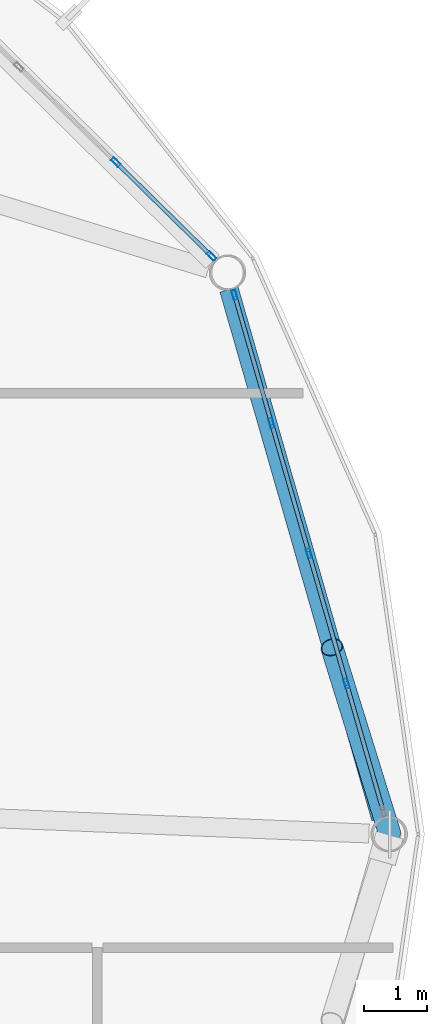
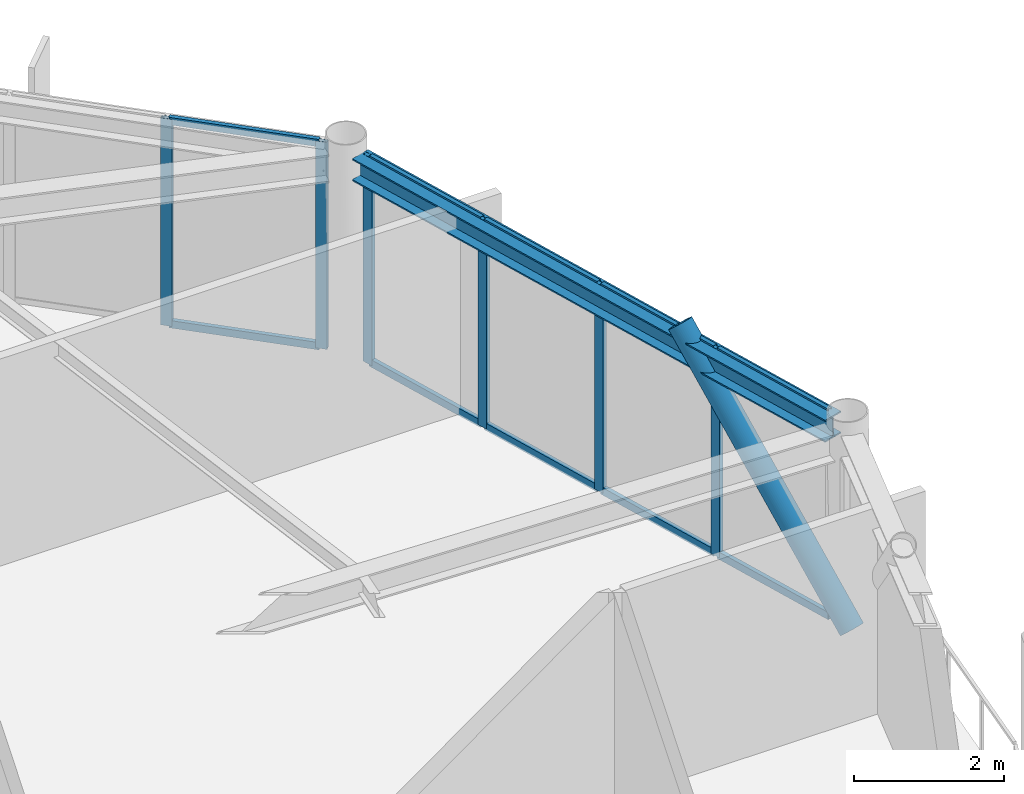
# One storey, part 16 of 25: 17 members, 1 beam, 2 elements without a shape of their own.
"""IFC4 building model written with IfcOpenShell, lengths in metres."""

from ifc_helpers import new_model, si_unit, direction, frame, origin, origin_2d, place, context, subcontext, project, spatial, hollow_rectangle, hollow_circle, i_section, extrude, material, layer, layer_set, material_profile, profile_set, type_object, element, aggregate, save


model = new_model("IFC4")

# Units and contexts
model_context = context("Model", 3, precision=1e-05, world=origin(), true_north=direction((0.0, 1.0)))
body_context = subcontext(model_context, "Body", "Model", "MODEL_VIEW")
ifc_project = project(units=[si_unit("LENGTHUNIT", "METRE"), si_unit("AREAUNIT", "SQUARE_METRE"), si_unit("VOLUMEUNIT", "CUBIC_METRE"), si_unit("PLANEANGLEUNIT", "RADIAN"), si_unit("MASSUNIT", "GRAM", prefix="KILO")], contexts=[model_context])

# Site, building, storey
site_placement = place(None, origin())
site = spatial("IfcSite", under=ifc_project, at=site_placement, CompositionType="ELEMENT")
building_placement = place(site_placement, origin())
building = spatial("IfcBuilding", under=site, at=building_placement, Name="Varnakorn Sky Granary", CompositionType="ELEMENT")
storey_placement = place(building_placement, frame((0.0, 0.0, 259.800048828125)))
storey = spatial("IfcBuildingStorey", under=building, at=storey_placement, Name="L66", CompositionType="ELEMENT", Elevation=259.800048828125)

# Beam
ifc_material_1 = material(Name="Steel S355JR", Category="steel")
ifc_material_profile_1 = material_profile(ifc_material_1, i_section(OverallWidth=0.300048828125, OverallDepth=0.360107421875, WebThickness=0.012451171875, FlangeThickness=0.0224609375, at=origin_2d()), Name="HE 360 B")
ifc_profile_set_1 = profile_set([ifc_material_profile_1], Name="Steel S355JR")
beam_type = type_object("IfcBeamType", Name="BM-SPD-Z5", PredefinedType="SPANDREL", material=ifc_profile_set_1)
beam_placement = place(storey_placement, frame((23.0009765625, 0.254150390625, 3.179931640625), z_axis=(-0.276253195, 0.961084893364, 0.0), x_axis=(-0.961084893364, -0.276253195, 0.0)))
element("IfcBeam", 1, at=beam_placement, inside=storey, type_object=beam_type, Name="Perimeter Spandrel Ring Beam RB01 L66", PredefinedType="SPANDREL", context=body_context, shape_type="SweptSolid", body=[
    extrude(i_section(OverallWidth=0.300048828125, OverallDepth=0.360107421875, WebThickness=0.012451171875, FlangeThickness=0.0224609375, at=origin_2d()), origin(), (0.0, 0.0, 1.0), 8.732421875),
])

# Curtain wall, members
ifc_material_2 = material(Name="Anodised Bronze Aluminium Alloy 6063-T6", Category="aluminium")
ifc_layer = layer(ifc_material_2, 0.159912109375, Name="Anodised Bronze Aluminium Alloy 6063-T6")
ifc_layer_set = layer_set([ifc_layer], Name="Anodised Bronze Aluminium Alloy 6063-T6")
curtain_wall_type = type_object("IfcCurtainWallType", Name="CW-OFF-1", PredefinedType="USERDEFINED", material=ifc_layer_set)
curtain_wall_1_placement = place(storey_placement, origin())
curtain_wall_1 = element("IfcCurtainWall", 2, at=curtain_wall_1_placement, inside=storey, type_object=curtain_wall_type, Name="Unitised Curtain Wall CW6 CW-L66-B01", ObjectType="CURTAIN WALL", PredefinedType="USERDEFINED")
ifc_material_profile_2 = material_profile(ifc_material_2, hollow_rectangle(XDim=0.06494140625, YDim=0.159912109375, WallThickness=0.00341796875, at=origin_2d()), Name="ALU MULL 65x160")
ifc_profile_set_2 = profile_set([ifc_material_profile_2], Name="Anodised Bronze Aluminium Alloy 6063-T6")
member_type_1 = type_object("IfcMemberType", Name="CW-OFF-1-MULL", PredefinedType="MULLION", material=ifc_profile_set_2)
member_1_placement = place(storey_placement, frame((20.67724609375, 8.560546875, 0.0), z_axis=(0.0, 0.0, 1.0), x_axis=(0.960963029638, 0.27667680725, 0.0)))
member_1 = element("IfcMember", 3, at=member_1_placement, type_object=member_type_1, Name="CW6 mullion 1", PredefinedType="MULLION", context=body_context, shape_type="SweptSolid", body=[
    extrude(hollow_rectangle(XDim=0.06494140625, YDim=0.159912109375, WallThickness=0.00341796875, at=origin_2d()), origin(), (0.0, 0.0, 1.0), 3.35986328125),
])
member_2_placement = place(storey_placement, frame((21.26318359375, 6.525390625, 0.0), z_axis=(0.0, 0.0, 1.0), x_axis=(0.960963029638, 0.27667680725, 0.0)))
member_2 = element("IfcMember", 4, at=member_2_placement, type_object=member_type_1, Name="CW6 mullion 2", PredefinedType="MULLION", context=body_context, shape_type="SweptSolid", body=[
    extrude(hollow_rectangle(XDim=0.06494140625, YDim=0.159912109375, WallThickness=0.00341796875, at=origin_2d()), origin(), (0.0, 0.0, 1.0), 3.35986328125),
])
member_3_placement = place(storey_placement, frame((21.858154296875, 4.458984375, 0.0), z_axis=(0.0, 0.0, 1.0), x_axis=(0.960963029638, 0.27667680725, 0.0)))
member_3 = element("IfcMember", 5, at=member_3_placement, type_object=member_type_1, Name="CW6 mullion 3", PredefinedType="MULLION", context=body_context, shape_type="SweptSolid", body=[
    extrude(hollow_rectangle(XDim=0.06494140625, YDim=0.159912109375, WallThickness=0.00341796875, at=origin_2d()), origin(), (0.0, 0.0, 1.0), 3.35986328125),
])
member_4_placement = place(storey_placement, frame((22.453125, 2.392578125, 0.0), z_axis=(0.0, 0.0, 1.0), x_axis=(0.960963029638, 0.27667680725, 0.0)))
member_4 = element("IfcMember", 6, at=member_4_placement, type_object=member_type_1, Name="CW6 mullion 4", PredefinedType="MULLION", context=body_context, shape_type="SweptSolid", body=[
    extrude(hollow_rectangle(XDim=0.06494140625, YDim=0.159912109375, WallThickness=0.00341796875, at=origin_2d()), origin(), (0.0, 0.0, 1.0), 3.35986328125),
])

curtain_wall_2_placement = place(storey_placement, origin())
curtain_wall_2 = element("IfcCurtainWall", 7, at=curtain_wall_2_placement, inside=storey, type_object=curtain_wall_type, Name="Unitised Curtain Wall CW6 CW-L66-B02", ObjectType="CURTAIN WALL", PredefinedType="USERDEFINED")
member_5_placement = place(storey_placement, frame((18.791748046875, 10.6689453125, 0.0), z_axis=(0.0, 0.0, 1.0), x_axis=(0.700774417108, 0.713382938068, 0.0)))
member_5 = element("IfcMember", 8, at=member_5_placement, type_object=member_type_1, Name="CW6 mullion 4", PredefinedType="MULLION", context=body_context, shape_type="SweptSolid", body=[
    extrude(hollow_rectangle(XDim=0.06494140625, YDim=0.159912109375, WallThickness=0.00341796875, at=origin_2d()), origin(), (0.0, 0.0, 1.0), 3.35986328125),
])
member_6_placement = place(storey_placement, frame((20.30908203125, 9.1787109375, 0.0), z_axis=(0.0, 0.0, 1.0), x_axis=(0.700774417108, 0.713382938068, 0.0)))
member_6 = element("IfcMember", 9, at=member_6_placement, type_object=member_type_1, Name="CW6 mullion 5", PredefinedType="MULLION", context=body_context, shape_type="SweptSolid", body=[
    extrude(hollow_rectangle(XDim=0.06494140625, YDim=0.159912109375, WallThickness=0.00341796875, at=origin_2d()), origin(), (0.0, 0.0, 1.0), 3.35986328125),
])

# Member
ifc_material_profile_3 = material_profile(ifc_material_2, hollow_rectangle(XDim=0.06494140625, YDim=0.1201171875, WallThickness=0.00341796875, at=origin_2d()), Name="ALU TRAN 65x120")
ifc_profile_set_3 = profile_set([ifc_material_profile_3], Name="Anodised Bronze Aluminium Alloy 6063-T6")
member_type_2 = type_object("IfcMemberType", Name="CW-OFF-1-TRAN", PredefinedType="USERDEFINED", material=ifc_profile_set_3)
member_7_placement = place(storey_placement, frame((20.686279296875, 8.529296875, 0.032470703125), z_axis=(0.276636966112, -0.960974499651, 0.0), x_axis=(0.960974499651, 0.276636966112, 0.0)))
member_7 = element("IfcMember", 10, at=member_7_placement, type_object=member_type_2, Name="CW6 transom 1.1", ObjectType="TRANSOM", PredefinedType="USERDEFINED", context=body_context, shape_type="SweptSolid", body=[
    extrude(hollow_rectangle(XDim=0.06494140625, YDim=0.1201171875, WallThickness=0.00341796875, at=origin_2d()), origin(), (0.0, 0.0, 1.0), 2.052734375),
])

member_8_placement = place(storey_placement, frame((20.686279296875, 8.529296875, 3.327392578125), z_axis=(0.276636966112, -0.960974499651, 0.0), x_axis=(0.960974499651, 0.276636966112, 0.0)))
member_8 = element("IfcMember", 11, at=member_8_placement, type_object=member_type_2, Name="CW6 transom 1.2", ObjectType="TRANSOM", PredefinedType="USERDEFINED", context=body_context, shape_type="SweptSolid", body=[
    extrude(hollow_rectangle(XDim=0.06494140625, YDim=0.1201171875, WallThickness=0.00341796875, at=origin_2d()), origin(), (0.0, 0.0, 1.0), 2.052734375),
])

member_9_placement = place(storey_placement, frame((21.272216796875, 6.494140625, 0.032470703125), z_axis=(0.276653451318, -0.960969753881, 0.0), x_axis=(0.960969753881, 0.276653451318, 0.0)))
member_9 = element("IfcMember", 12, at=member_9_placement, type_object=member_type_2, Name="CW6 transom 2.1", ObjectType="TRANSOM", PredefinedType="USERDEFINED", context=body_context, shape_type="SweptSolid", body=[
    extrude(hollow_rectangle(XDim=0.06494140625, YDim=0.1201171875, WallThickness=0.00341796875, at=origin_2d()), origin(), (0.0, 0.0, 1.0), 2.085205078125),
])

member_10_placement = place(storey_placement, frame((21.272216796875, 6.494140625, 3.327392578125), z_axis=(0.276653451318, -0.960969753881, 0.0), x_axis=(0.960969753881, 0.276653451318, 0.0)))
member_10 = element("IfcMember", 13, at=member_10_placement, type_object=member_type_2, Name="CW6 transom 2.2", ObjectType="TRANSOM", PredefinedType="USERDEFINED", context=body_context, shape_type="SweptSolid", body=[
    extrude(hollow_rectangle(XDim=0.06494140625, YDim=0.1201171875, WallThickness=0.00341796875, at=origin_2d()), origin(), (0.0, 0.0, 1.0), 2.085205078125),
])

member_11_placement = place(storey_placement, frame((21.8671875, 4.427734375, 0.032470703125), z_axis=(0.276653451318, -0.960969753881, 0.0), x_axis=(0.960969753881, 0.276653451318, 0.0)))
member_11 = element("IfcMember", 14, at=member_11_placement, type_object=member_type_2, Name="CW6 transom 3.1", ObjectType="TRANSOM", PredefinedType="USERDEFINED", context=body_context, shape_type="SweptSolid", body=[
    extrude(hollow_rectangle(XDim=0.06494140625, YDim=0.1201171875, WallThickness=0.00341796875, at=origin_2d()), origin(), (0.0, 0.0, 1.0), 2.085205078125),
])

member_12_placement = place(storey_placement, frame((21.8671875, 4.427734375, 3.327392578125), z_axis=(0.276653451318, -0.960969753881, 0.0), x_axis=(0.960969753881, 0.276653451318, 0.0)))
member_12 = element("IfcMember", 15, at=member_12_placement, type_object=member_type_2, Name="CW6 transom 3.2", ObjectType="TRANSOM", PredefinedType="USERDEFINED", context=body_context, shape_type="SweptSolid", body=[
    extrude(hollow_rectangle(XDim=0.06494140625, YDim=0.1201171875, WallThickness=0.00341796875, at=origin_2d()), origin(), (0.0, 0.0, 1.0), 2.085205078125),
])

member_13_placement = place(storey_placement, frame((22.462158203125, 2.361328125, 0.032470703125), z_axis=(0.276636966112, -0.960974499651, 0.0), x_axis=(0.960974499651, 0.276636966112, 0.0)))
member_13 = element("IfcMember", 16, at=member_13_placement, type_object=member_type_2, Name="CW6 transom 4.1", ObjectType="TRANSOM", PredefinedType="USERDEFINED", context=body_context, shape_type="SweptSolid", body=[
    extrude(hollow_rectangle(XDim=0.06494140625, YDim=0.1201171875, WallThickness=0.00341796875, at=origin_2d()), origin(), (0.0, 0.0, 1.0), 2.052734375),
])

member_14_placement = place(storey_placement, frame((22.462158203125, 2.361328125, 3.327392578125), z_axis=(0.276636966112, -0.960974499651, 0.0), x_axis=(0.960974499651, 0.276636966112, 0.0)))
member_14 = element("IfcMember", 17, at=member_14_placement, type_object=member_type_2, Name="CW6 transom 4.2", ObjectType="TRANSOM", PredefinedType="USERDEFINED", context=body_context, shape_type="SweptSolid", body=[
    extrude(hollow_rectangle(XDim=0.06494140625, YDim=0.1201171875, WallThickness=0.00341796875, at=origin_2d()), origin(), (0.0, 0.0, 1.0), 2.052734375),
])

aggregate(curtain_wall_1, [member_1, member_2, member_3, member_4, member_7, member_8, member_9, member_10, member_11, member_12, member_13, member_14])

member_15_placement = place(storey_placement, frame((18.81494140625, 10.646240234375, 0.032470703125), z_axis=(0.713413277068, -0.700743530903, 0.0), x_axis=(0.700743530903, 0.713413277068, 0.0)))
member_15 = element("IfcMember", 18, at=member_15_placement, type_object=member_type_2, Name="CW6 transom 4.1", ObjectType="TRANSOM", PredefinedType="USERDEFINED", context=body_context, shape_type="SweptSolid", body=[
    extrude(hollow_rectangle(XDim=0.06494140625, YDim=0.1201171875, WallThickness=0.00341796875, at=origin_2d()), origin(), (0.0, 0.0, 1.0), 2.061767578125),
])

member_16_placement = place(storey_placement, frame((18.81494140625, 10.646240234375, 3.327392578125), z_axis=(0.713413277068, -0.700743530903, 0.0), x_axis=(0.700743530903, 0.713413277068, 0.0)))
member_16 = element("IfcMember", 19, at=member_16_placement, type_object=member_type_2, Name="CW6 transom 4.2", ObjectType="TRANSOM", PredefinedType="USERDEFINED", context=body_context, shape_type="SweptSolid", body=[
    extrude(hollow_rectangle(XDim=0.06494140625, YDim=0.1201171875, WallThickness=0.00341796875, at=origin_2d()), origin(), (0.0, 0.0, 1.0), 2.061767578125),
])

aggregate(curtain_wall_2, [member_5, member_6, member_15, member_16])

ifc_material_3 = material(Name="Steel S460M", Category="steel")
ifc_material_profile_4 = material_profile(ifc_material_3, hollow_circle(Radius=0.177734375, WallThickness=0.01416015625, at=origin_2d()), Name="CHS 355.6x14")
ifc_profile_set_4 = profile_set([ifc_material_profile_4], Name="Steel S460M")
member_type_3 = type_object("IfcMemberType", Name="MB-DIAG-T5", PredefinedType="BRACE", material=ifc_profile_set_4)
member_17_placement = place(storey_placement, frame((23.14208984375, 0.0, 0.0), z_axis=(-0.197092801212, 0.635012940915, 0.746935735241), x_axis=(-0.955055698231, -0.296426404487, 0.0)))
element("IfcMember", 20, at=member_17_placement, inside=storey, type_object=member_type_3, Name="Perimeter CHS Diagrid Brace DG01 L66", PredefinedType="BRACE", context=body_context, shape_type="SweptSolid", body=[
    extrude(hollow_circle(Radius=0.177734375, WallThickness=0.01416015625, at=origin_2d()), origin(), (0.0, 0.0, 1.0), 4.67236328125),
])

save(model, "model.ifc")
